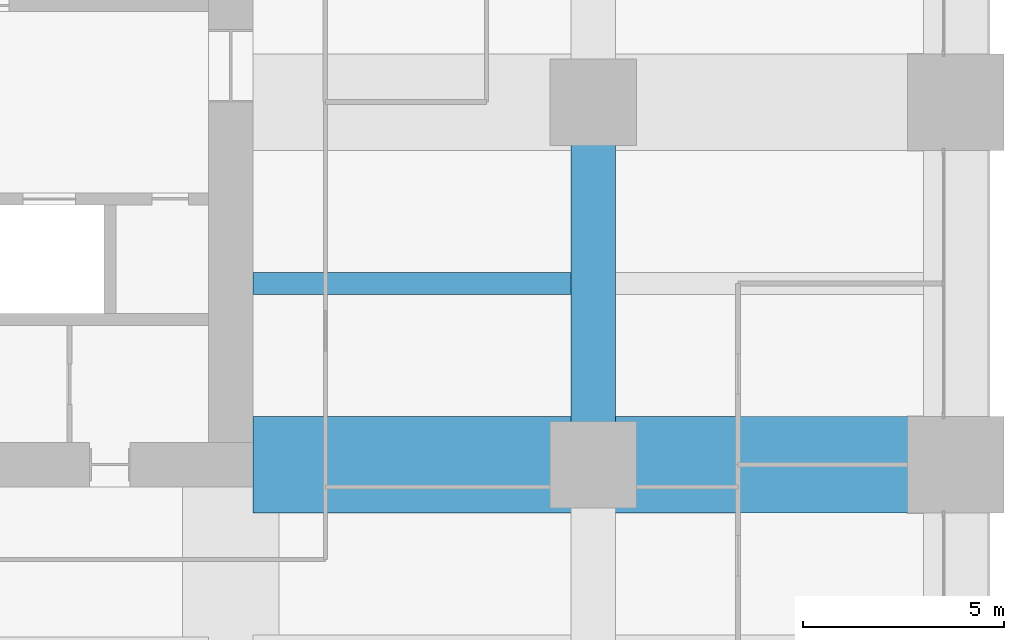
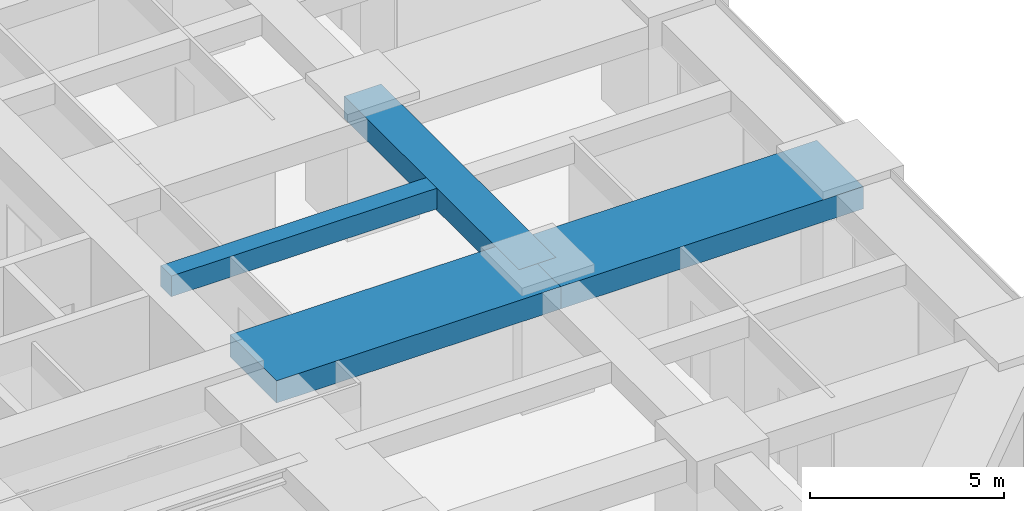
# One storey, part 19 of 45: 4 beams.
"""IFC4 building model written with IfcOpenShell, lengths in metres."""

from ifc_helpers import new_model, si_unit, direction, frame, origin, origin_2d, place, context, subcontext, project, spatial, rectangle, extrude, material, material_profile, profile_set, type_object, element, save


model = new_model("IFC4")

# Units and contexts
model_context = context("Model", 3, precision=1e-05, world=origin(), true_north=direction((0.0, 1.0)))
body_context = subcontext(model_context, "Body", "Model", "MODEL_VIEW")
ifc_project = project(units=[si_unit("LENGTHUNIT", "METRE"), si_unit("AREAUNIT", "SQUARE_METRE"), si_unit("VOLUMEUNIT", "CUBIC_METRE"), si_unit("PLANEANGLEUNIT", "RADIAN"), si_unit("MASSUNIT", "GRAM", prefix="KILO")], contexts=[model_context])

# Site, building, storey
site_placement = place(None, origin())
site = spatial("IfcSite", under=ifc_project, at=site_placement, CompositionType="ELEMENT")
building_placement = place(site_placement, origin())
building = spatial("IfcBuilding", under=site, at=building_placement, Name="Zorevar Civic Tower", CompositionType="ELEMENT")
storey_placement = place(building_placement, frame((0.0, 0.0, 71.800048828125)))
storey = spatial("IfcBuildingStorey", under=building, at=storey_placement, Name="L17", CompositionType="ELEMENT", Elevation=71.800048828125)

# Beams
ifc_material_1 = material(Name="Concrete C50/60", Category="concrete")
ifc_material_profile_1 = material_profile(ifc_material_1, rectangle(XDim=1.10009765625, YDim=0.699951171875, at=origin_2d()), Name="RC 1100x700")
ifc_profile_set_1 = profile_set([ifc_material_profile_1], Name="Concrete C50/60")
beam_type_1 = type_object("IfcBeamType", Name="Beam RC 1100x700", PredefinedType="BEAM", material=ifc_profile_set_1)
beam_1_placement = place(storey_placement, frame((54.0, 18.0, 3.39990234375), z_axis=(0.0, 1.0, 0.0), x_axis=(-1.0, 0.0, 0.0)))
element("IfcBeam", 1, at=beam_1_placement, inside=storey, type_object=beam_type_1, Name="Girder L18", PredefinedType="BEAM", context=body_context, shape_type="SweptSolid", body=[
    extrude(rectangle(XDim=1.10009765625, YDim=0.699951171875, at=origin_2d()), origin(), (0.0, 0.0, 1.0), 9.0),
])
ifc_material_2 = material(Name="Concrete C50/60", Category="concrete")
ifc_material_profile_2 = material_profile(ifc_material_2, rectangle(XDim=2.39990234375, YDim=0.699951171875, at=origin_2d()), Name="RC 2400x700")
ifc_profile_set_2 = profile_set([ifc_material_profile_2], Name="Concrete C50/60")
beam_type_2 = type_object("IfcBeamType", Name="Beam RC 2400x700", PredefinedType="BEAM", material=ifc_profile_set_2)
beam_2_placement = place(storey_placement, frame((45.550048828125, 18.0, 3.39990234375), z_axis=(1.0, 0.0, 0.0), x_axis=(0.0, 1.0, 0.0)))
element("IfcBeam", 2, at=beam_2_placement, inside=storey, type_object=beam_type_2, Name="Girder L18", PredefinedType="BEAM", context=body_context, shape_type="SweptSolid", body=[
    extrude(rectangle(XDim=2.39990234375, YDim=0.699951171875, at=origin_2d()), origin(), (0.0, 0.0, 1.0), 8.449951171875),
])
beam_3_placement = place(storey_placement, frame((54.0, 18.0, 3.39990234375), z_axis=(1.0, 0.0, 0.0), x_axis=(0.0, 1.0, 0.0)))
element("IfcBeam", 3, at=beam_3_placement, inside=storey, type_object=beam_type_2, Name="Girder L18", PredefinedType="BEAM", context=body_context, shape_type="SweptSolid", body=[
    extrude(rectangle(XDim=2.39990234375, YDim=0.699951171875, at=origin_2d()), origin(), (0.0, 0.0, 1.0), 9.0),
])
ifc_material_3 = material(Name="Concrete C50/60", Category="concrete")
ifc_material_profile_3 = material_profile(ifc_material_3, rectangle(XDim=0.550048828125, YDim=0.64990234375, at=origin_2d()), Name="RC 550x650")
ifc_profile_set_3 = profile_set([ifc_material_profile_3], Name="Concrete C50/60")
beam_type_3 = type_object("IfcBeamType", Name="Beam RC 550x650", PredefinedType="BEAM", material=ifc_profile_set_3)
beam_4_placement = place(storey_placement, frame((45.550048828125, 22.5, 3.425048828125), z_axis=(1.0, 0.0, 0.0), x_axis=(0.0, 1.0, 0.0)))
element("IfcBeam", 4, at=beam_4_placement, inside=storey, type_object=beam_type_3, Name="Secondary beam L18", PredefinedType="BEAM", context=body_context, shape_type="SweptSolid", body=[
    extrude(rectangle(XDim=0.550048828125, YDim=0.64990234375, at=origin_2d()), origin(), (0.0, 0.0, 1.0), 7.89990234375),
])

save(model, "model.ifc")
